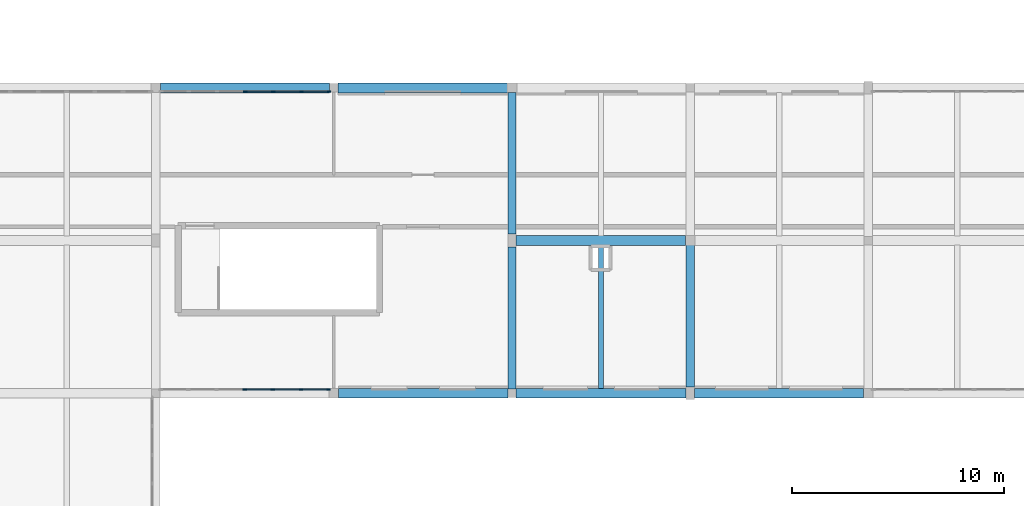
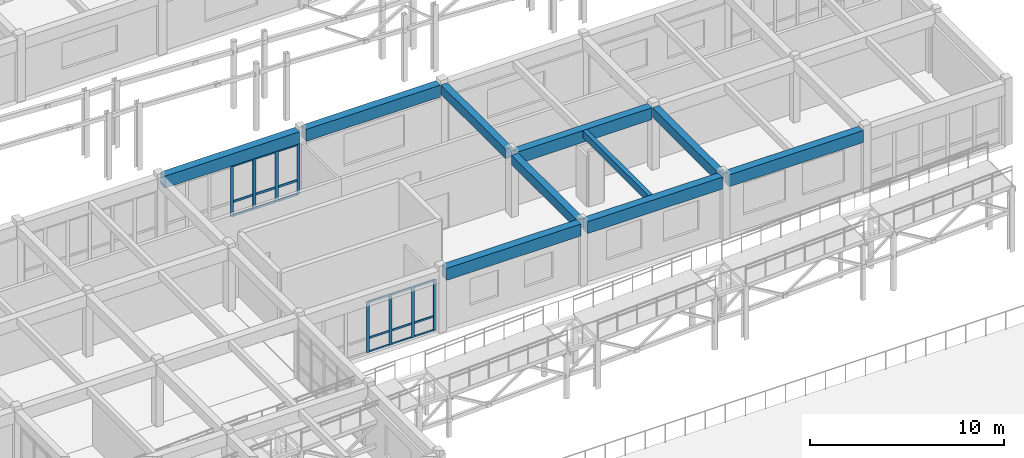
# One storey, part 37 of 90: 26 members, 10 beams, 2 elements without a shape of their own.
"""IFC4 building model written with IfcOpenShell, lengths in metres."""

from ifc_helpers import new_model, si_unit, direction, frame, origin, origin_2d, place, context, subcontext, project, spatial, rectangle, extrude, material, material_profile, profile_set, type_object, element, aggregate, save


model = new_model("IFC4")

# Units and contexts
model_context = context("Model", 3, precision=1e-05, world=origin(), true_north=direction((0.0, 1.0)))
body_context = subcontext(model_context, "Body", "Model", "MODEL_VIEW")
ifc_project = project(units=[si_unit("LENGTHUNIT", "METRE"), si_unit("AREAUNIT", "SQUARE_METRE"), si_unit("VOLUMEUNIT", "CUBIC_METRE"), si_unit("PLANEANGLEUNIT", "RADIAN"), si_unit("MASSUNIT", "GRAM", prefix="KILO")], contexts=[model_context])

# Site, building, storey
site_placement = place(None, origin())
site = spatial("IfcSite", under=ifc_project, at=site_placement, CompositionType="ELEMENT")
building_placement = place(site_placement, origin())
building = spatial("IfcBuilding", under=site, at=building_placement, Name="Malvenik Polytechnic", CompositionType="ELEMENT")
storey_placement = place(building_placement, frame((0.0, 0.0, 9.300048828125)))
storey = spatial("IfcBuildingStorey", under=building, at=storey_placement, Name="L02", CompositionType="ELEMENT", Elevation=9.300048828125)

# Curtain wall, members
ifc_material_1 = material(Name="Anodised aluminium 6060-T6", Category="aluminium")
curtain_wall_type = type_object("IfcCurtainWallType", Name="ARC-CW-CW-03", PredefinedType="NOTDEFINED", material=ifc_material_1)
curtain_wall_1_placement = place(storey_placement, origin())
curtain_wall_1 = element("IfcCurtainWall", 1, at=curtain_wall_1_placement, inside=storey, type_object=curtain_wall_type, Name="Unitised Curtain Wall CW-03 L02 #142", PredefinedType="NOTDEFINED")
ifc_material_2 = material(Name="Anodised aluminium", Category="aluminium")
ifc_material_profile_1 = material_profile(ifc_material_2, rectangle(XDim=0.06005859375, YDim=0.179931640625, at=origin_2d()), Name="ALU MULLION 60x180")
ifc_profile_set_1 = profile_set([ifc_material_profile_1], Name="Anodised aluminium")
member_type_1 = type_object("IfcMemberType", Name="ARC-CWM-180", PredefinedType="MULLION", material=ifc_profile_set_1)
member_1_placement = place(storey_placement, frame((96.612548828125, 64.6298828125, 0.0), z_axis=(0.0, 0.0, 1.0), x_axis=(0.0, 1.0, 0.0)))
member_1 = element("IfcMember", 2, at=member_1_placement, type_object=member_type_1, Name="CW-03 mullion 4", PredefinedType="MULLION", context=body_context, shape_type="SweptSolid", body=[
    extrude(rectangle(XDim=0.06005859375, YDim=0.179931640625, at=origin_2d()), origin(), (0.0, 0.0, 1.0), 3.179931640625),
])
member_2_placement = place(storey_placement, frame((97.9423828125, 64.6298828125, 0.0), z_axis=(0.0, 0.0, 1.0), x_axis=(0.0, 1.0, 0.0)))
member_2 = element("IfcMember", 3, at=member_2_placement, type_object=member_type_1, Name="CW-03 mullion 5", PredefinedType="MULLION", context=body_context, shape_type="SweptSolid", body=[
    extrude(rectangle(XDim=0.06005859375, YDim=0.179931640625, at=origin_2d()), origin(), (0.0, 0.0, 1.0), 3.179931640625),
])
member_3_placement = place(storey_placement, frame((99.272216796875, 64.6298828125, 0.0), z_axis=(0.0, 0.0, 1.0), x_axis=(0.0, 1.0, 0.0)))
member_3 = element("IfcMember", 4, at=member_3_placement, type_object=member_type_1, Name="CW-03 mullion 6", PredefinedType="MULLION", context=body_context, shape_type="SweptSolid", body=[
    extrude(rectangle(XDim=0.06005859375, YDim=0.179931640625, at=origin_2d()), origin(), (0.0, 0.0, 1.0), 3.179931640625),
])
member_4_placement = place(storey_placement, frame((100.572021484375, 64.6298828125, 0.0), z_axis=(0.0, 0.0, 1.0), x_axis=(0.0, 1.0, 0.0)))
member_4 = element("IfcMember", 5, at=member_4_placement, type_object=member_type_1, Name="CW-03 mullion 7", PredefinedType="MULLION", context=body_context, shape_type="SweptSolid", body=[
    extrude(rectangle(XDim=0.06005859375, YDim=0.179931640625, at=origin_2d()), origin(), (0.0, 0.0, 1.0), 3.179931640625),
])

curtain_wall_2_placement = place(storey_placement, origin())
curtain_wall_2 = element("IfcCurtainWall", 6, at=curtain_wall_2_placement, inside=storey, type_object=curtain_wall_type, Name="Unitised Curtain Wall CW-03 L02 #145", PredefinedType="NOTDEFINED")
member_5_placement = place(storey_placement, frame((100.547119140625, 50.570068359375, 0.0), z_axis=(0.0, 0.0, 1.0), x_axis=(0.0, -1.0, 0.0)))
member_5 = element("IfcMember", 7, at=member_5_placement, type_object=member_type_1, Name="CW-03 mullion 1", PredefinedType="MULLION", context=body_context, shape_type="SweptSolid", body=[
    extrude(rectangle(XDim=0.06005859375, YDim=0.179931640625, at=origin_2d()), origin(), (0.0, 0.0, 1.0), 3.179931640625),
])
member_6_placement = place(storey_placement, frame((99.2470703125, 50.570068359375, 0.0), z_axis=(0.0, 0.0, 1.0), x_axis=(0.0, -1.0, 0.0)))
member_6 = element("IfcMember", 8, at=member_6_placement, type_object=member_type_1, Name="CW-03 mullion 2", PredefinedType="MULLION", context=body_context, shape_type="SweptSolid", body=[
    extrude(rectangle(XDim=0.06005859375, YDim=0.179931640625, at=origin_2d()), origin(), (0.0, 0.0, 1.0), 3.179931640625),
])
member_7_placement = place(storey_placement, frame((97.917236328125, 50.570068359375, 0.0), z_axis=(0.0, 0.0, 1.0), x_axis=(0.0, -1.0, 0.0)))
member_7 = element("IfcMember", 9, at=member_7_placement, type_object=member_type_1, Name="CW-03 mullion 3", PredefinedType="MULLION", context=body_context, shape_type="SweptSolid", body=[
    extrude(rectangle(XDim=0.06005859375, YDim=0.179931640625, at=origin_2d()), origin(), (0.0, 0.0, 1.0), 3.179931640625),
])
member_8_placement = place(storey_placement, frame((96.58740234375, 50.570068359375, 0.0), z_axis=(0.0, 0.0, 1.0), x_axis=(0.0, -1.0, 0.0)))
member_8 = element("IfcMember", 10, at=member_8_placement, type_object=member_type_1, Name="CW-03 mullion 4", PredefinedType="MULLION", context=body_context, shape_type="SweptSolid", body=[
    extrude(rectangle(XDim=0.06005859375, YDim=0.179931640625, at=origin_2d()), origin(), (0.0, 0.0, 1.0), 3.179931640625),
])
ifc_material_profile_2 = material_profile(ifc_material_2, rectangle(XDim=0.06005859375, YDim=0.1201171875, at=origin_2d()), Name="ALU TRANSOM 60x120")
ifc_profile_set_2 = profile_set([ifc_material_profile_2], Name="Anodised aluminium")
member_type_2 = type_object("IfcMemberType", Name="ARC-CWT-120", PredefinedType="USERDEFINED", material=ifc_profile_set_2)
member_9_placement = place(storey_placement, frame((100.51708984375, 50.570068359375, 0.030029296875), z_axis=(-1.0, 0.0, 0.0), x_axis=(0.0, -1.0, 0.0)))
member_9 = element("IfcMember", 11, at=member_9_placement, type_object=member_type_2, Name="CW-03 transom 1.1", ObjectType="TRANSOM", PredefinedType="USERDEFINED", context=body_context, shape_type="SweptSolid", body=[
    extrude(rectangle(XDim=0.06005859375, YDim=0.1201171875, at=origin_2d()), origin(), (0.0, 0.0, 1.0), 1.239990234375),
])
member_10_placement = place(storey_placement, frame((100.51708984375, 50.570068359375, 0.89990234375), z_axis=(-1.0, 0.0, 0.0), x_axis=(0.0, -1.0, 0.0)))
member_10 = element("IfcMember", 12, at=member_10_placement, type_object=member_type_2, Name="CW-03 transom 1.2", ObjectType="TRANSOM", PredefinedType="USERDEFINED", context=body_context, shape_type="SweptSolid", body=[
    extrude(rectangle(XDim=0.06005859375, YDim=0.1201171875, at=origin_2d()), origin(), (0.0, 0.0, 1.0), 1.239990234375),
])
member_11_placement = place(storey_placement, frame((100.51708984375, 50.570068359375, 3.14990234375), z_axis=(-1.0, 0.0, 0.0), x_axis=(0.0, -1.0, 0.0)))
member_11 = element("IfcMember", 13, at=member_11_placement, type_object=member_type_2, Name="CW-03 transom 1.3", ObjectType="TRANSOM", PredefinedType="USERDEFINED", context=body_context, shape_type="SweptSolid", body=[
    extrude(rectangle(XDim=0.06005859375, YDim=0.1201171875, at=origin_2d()), origin(), (0.0, 0.0, 1.0), 1.239990234375),
])
member_12_placement = place(storey_placement, frame((99.21728515625, 50.570068359375, 0.030029296875), z_axis=(-1.0, 0.0, 0.0), x_axis=(0.0, -1.0, 0.0)))
member_12 = element("IfcMember", 14, at=member_12_placement, type_object=member_type_2, Name="CW-03 transom 2.1", ObjectType="TRANSOM", PredefinedType="USERDEFINED", context=body_context, shape_type="SweptSolid", body=[
    extrude(rectangle(XDim=0.06005859375, YDim=0.1201171875, at=origin_2d()), origin(), (0.0, 0.0, 1.0), 1.27001953125),
])
member_13_placement = place(storey_placement, frame((99.21728515625, 50.570068359375, 0.89990234375), z_axis=(-1.0, 0.0, 0.0), x_axis=(0.0, -1.0, 0.0)))
member_13 = element("IfcMember", 15, at=member_13_placement, type_object=member_type_2, Name="CW-03 transom 2.2", ObjectType="TRANSOM", PredefinedType="USERDEFINED", context=body_context, shape_type="SweptSolid", body=[
    extrude(rectangle(XDim=0.06005859375, YDim=0.1201171875, at=origin_2d()), origin(), (0.0, 0.0, 1.0), 1.27001953125),
])
member_14_placement = place(storey_placement, frame((99.21728515625, 50.570068359375, 3.14990234375), z_axis=(-1.0, 0.0, 0.0), x_axis=(0.0, -1.0, 0.0)))
member_14 = element("IfcMember", 16, at=member_14_placement, type_object=member_type_2, Name="CW-03 transom 2.3", ObjectType="TRANSOM", PredefinedType="USERDEFINED", context=body_context, shape_type="SweptSolid", body=[
    extrude(rectangle(XDim=0.06005859375, YDim=0.1201171875, at=origin_2d()), origin(), (0.0, 0.0, 1.0), 1.27001953125),
])
member_15_placement = place(storey_placement, frame((97.887451171875, 50.570068359375, 0.030029296875), z_axis=(-1.0, 0.0, 0.0), x_axis=(0.0, -1.0, 0.0)))
member_15 = element("IfcMember", 17, at=member_15_placement, type_object=member_type_2, Name="CW-03 transom 3.1", ObjectType="TRANSOM", PredefinedType="USERDEFINED", context=body_context, shape_type="SweptSolid", body=[
    extrude(rectangle(XDim=0.06005859375, YDim=0.1201171875, at=origin_2d()), origin(), (0.0, 0.0, 1.0), 1.27001953125),
])
member_16_placement = place(storey_placement, frame((97.887451171875, 50.570068359375, 0.89990234375), z_axis=(-1.0, 0.0, 0.0), x_axis=(0.0, -1.0, 0.0)))
member_16 = element("IfcMember", 18, at=member_16_placement, type_object=member_type_2, Name="CW-03 transom 3.2", ObjectType="TRANSOM", PredefinedType="USERDEFINED", context=body_context, shape_type="SweptSolid", body=[
    extrude(rectangle(XDim=0.06005859375, YDim=0.1201171875, at=origin_2d()), origin(), (0.0, 0.0, 1.0), 1.27001953125),
])
member_17_placement = place(storey_placement, frame((97.887451171875, 50.570068359375, 3.14990234375), z_axis=(-1.0, 0.0, 0.0), x_axis=(0.0, -1.0, 0.0)))
member_17 = element("IfcMember", 19, at=member_17_placement, type_object=member_type_2, Name="CW-03 transom 3.3", ObjectType="TRANSOM", PredefinedType="USERDEFINED", context=body_context, shape_type="SweptSolid", body=[
    extrude(rectangle(XDim=0.06005859375, YDim=0.1201171875, at=origin_2d()), origin(), (0.0, 0.0, 1.0), 1.27001953125),
])
aggregate(curtain_wall_2, [member_5, member_6, member_7, member_8, member_9, member_10, member_11, member_12, member_13, member_14, member_15, member_16, member_17])

# Member
ifc_material_profile_3 = material_profile(ifc_material_2, rectangle(XDim=0.06005859375, YDim=0.139892578125, at=origin_2d()), Name="ALU TRANSOM 60x140")
ifc_profile_set_3 = profile_set([ifc_material_profile_3], Name="Anodised aluminium")
member_type_3 = type_object("IfcMemberType", Name="ARC-CWT-140", PredefinedType="USERDEFINED", material=ifc_profile_set_3)
member_18_placement = place(storey_placement, frame((96.642578125, 64.6298828125, 0.030029296875), z_axis=(1.0, 0.0, 0.0), x_axis=(0.0, 1.0, 0.0)))
member_18 = element("IfcMember", 20, at=member_18_placement, type_object=member_type_3, Name="CW-03 transom 4.1", ObjectType="TRANSOM", PredefinedType="USERDEFINED", context=body_context, shape_type="SweptSolid", body=[
    extrude(rectangle(XDim=0.06005859375, YDim=0.139892578125, at=origin_2d()), origin(), (0.0, 0.0, 1.0), 1.269775390625),
])

member_19_placement = place(storey_placement, frame((96.642578125, 64.6298828125, 0.89990234375), z_axis=(1.0, 0.0, 0.0), x_axis=(0.0, 1.0, 0.0)))
member_19 = element("IfcMember", 21, at=member_19_placement, type_object=member_type_3, Name="CW-03 transom 4.2", ObjectType="TRANSOM", PredefinedType="USERDEFINED", context=body_context, shape_type="SweptSolid", body=[
    extrude(rectangle(XDim=0.06005859375, YDim=0.139892578125, at=origin_2d()), origin(), (0.0, 0.0, 1.0), 1.269775390625),
])

member_20_placement = place(storey_placement, frame((96.642578125, 64.6298828125, 3.14990234375), z_axis=(1.0, 0.0, 0.0), x_axis=(0.0, 1.0, 0.0)))
member_20 = element("IfcMember", 22, at=member_20_placement, type_object=member_type_3, Name="CW-03 transom 4.3", ObjectType="TRANSOM", PredefinedType="USERDEFINED", context=body_context, shape_type="SweptSolid", body=[
    extrude(rectangle(XDim=0.06005859375, YDim=0.139892578125, at=origin_2d()), origin(), (0.0, 0.0, 1.0), 1.269775390625),
])

member_21_placement = place(storey_placement, frame((97.972412109375, 64.6298828125, 0.030029296875), z_axis=(1.0, 0.0, 0.0), x_axis=(0.0, 1.0, 0.0)))
member_21 = element("IfcMember", 23, at=member_21_placement, type_object=member_type_3, Name="CW-03 transom 5.1", ObjectType="TRANSOM", PredefinedType="USERDEFINED", context=body_context, shape_type="SweptSolid", body=[
    extrude(rectangle(XDim=0.06005859375, YDim=0.139892578125, at=origin_2d()), origin(), (0.0, 0.0, 1.0), 1.269775390625),
])

member_22_placement = place(storey_placement, frame((97.972412109375, 64.6298828125, 0.89990234375), z_axis=(1.0, 0.0, 0.0), x_axis=(0.0, 1.0, 0.0)))
member_22 = element("IfcMember", 24, at=member_22_placement, type_object=member_type_3, Name="CW-03 transom 5.2", ObjectType="TRANSOM", PredefinedType="USERDEFINED", context=body_context, shape_type="SweptSolid", body=[
    extrude(rectangle(XDim=0.06005859375, YDim=0.139892578125, at=origin_2d()), origin(), (0.0, 0.0, 1.0), 1.269775390625),
])

member_23_placement = place(storey_placement, frame((97.972412109375, 64.6298828125, 3.14990234375), z_axis=(1.0, 0.0, 0.0), x_axis=(0.0, 1.0, 0.0)))
member_23 = element("IfcMember", 25, at=member_23_placement, type_object=member_type_3, Name="CW-03 transom 5.3", ObjectType="TRANSOM", PredefinedType="USERDEFINED", context=body_context, shape_type="SweptSolid", body=[
    extrude(rectangle(XDim=0.06005859375, YDim=0.139892578125, at=origin_2d()), origin(), (0.0, 0.0, 1.0), 1.269775390625),
])

member_24_placement = place(storey_placement, frame((99.30224609375, 64.6298828125, 0.030029296875), z_axis=(1.0, 0.0, 0.0), x_axis=(0.0, 1.0, 0.0)))
member_24 = element("IfcMember", 26, at=member_24_placement, type_object=member_type_3, Name="CW-03 transom 6.1", ObjectType="TRANSOM", PredefinedType="USERDEFINED", context=body_context, shape_type="SweptSolid", body=[
    extrude(rectangle(XDim=0.06005859375, YDim=0.139892578125, at=origin_2d()), origin(), (0.0, 0.0, 1.0), 1.23974609375),
])

member_25_placement = place(storey_placement, frame((99.30224609375, 64.6298828125, 0.89990234375), z_axis=(1.0, 0.0, 0.0), x_axis=(0.0, 1.0, 0.0)))
member_25 = element("IfcMember", 27, at=member_25_placement, type_object=member_type_3, Name="CW-03 transom 6.2", ObjectType="TRANSOM", PredefinedType="USERDEFINED", context=body_context, shape_type="SweptSolid", body=[
    extrude(rectangle(XDim=0.06005859375, YDim=0.139892578125, at=origin_2d()), origin(), (0.0, 0.0, 1.0), 1.23974609375),
])

member_26_placement = place(storey_placement, frame((99.30224609375, 64.6298828125, 3.14990234375), z_axis=(1.0, 0.0, 0.0), x_axis=(0.0, 1.0, 0.0)))
member_26 = element("IfcMember", 28, at=member_26_placement, type_object=member_type_3, Name="CW-03 transom 6.3", ObjectType="TRANSOM", PredefinedType="USERDEFINED", context=body_context, shape_type="SweptSolid", body=[
    extrude(rectangle(XDim=0.06005859375, YDim=0.139892578125, at=origin_2d()), origin(), (0.0, 0.0, 1.0), 1.23974609375),
])

aggregate(curtain_wall_1, [member_1, member_2, member_3, member_4, member_18, member_19, member_20, member_21, member_22, member_23, member_24, member_25, member_26])

# Beams
ifc_material_3 = material(Name="Concrete C35/45", Category="concrete")
ifc_material_profile_4 = material_profile(ifc_material_3, rectangle(XDim=0.449951171875, YDim=0.75, at=origin_2d()), Name="RC BM 450x750")
ifc_profile_set_4 = profile_set([ifc_material_profile_4], Name="Concrete C35/45")
beam_type_1 = type_object("IfcBeamType", Name="STR-BM-B-03", PredefinedType="BEAM", material=ifc_profile_set_4)
beam_1_placement = place(storey_placement, frame((109.39794921875, 57.60009765625, 3.56494140625), z_axis=(1.0, 0.0, 0.0), x_axis=(0.0, 1.0, 0.0)))
element("IfcBeam", 29, at=beam_1_placement, inside=storey, type_object=beam_type_1, Name="Primary Beam B-03 L02 #1358", PredefinedType="BEAM", context=body_context, shape_type="SweptSolid", body=[
    extrude(rectangle(XDim=0.449951171875, YDim=0.75, at=origin_2d()), origin(), (0.0, 0.0, 1.0), 7.97900390625),
])
ifc_material_profile_5 = material_profile(ifc_material_3, rectangle(XDim=0.39990234375, YDim=0.60009765625, at=origin_2d()), Name="RC BM 400x600")
ifc_profile_set_5 = profile_set([ifc_material_profile_5], Name="Concrete C35/45")
beam_type_2 = type_object("IfcBeamType", Name="STR-BM-B-06", PredefinedType="BEAM", material=ifc_profile_set_5)
beam_2_placement = place(storey_placement, frame((109.199951171875, 50.597900390625, 3.639892578125), z_axis=(0.0, 1.0, 0.0), x_axis=(-1.0, 0.0, 0.0)))
element("IfcBeam", 30, at=beam_2_placement, inside=storey, type_object=beam_type_2, Name="Transverse Beam B-06 L02 #1537", PredefinedType="BEAM", context=body_context, shape_type="SweptSolid", body=[
    extrude(rectangle(XDim=0.39990234375, YDim=0.60009765625, at=origin_2d()), origin(), (0.0, 0.0, 1.0), 6.7041015625),
])
for number, where, z_axis, x_axis, name in (
    (31, (109.199951171875, 57.89794921875, 3.639892578125), (0.0, 1.0, 0.0), (-1.0, 0.0, 0.0), "Transverse Beam B-06 L02 #1538"),
    (32, (117.60009765625, 50.697998046875, 3.639892578125), (0.0, 1.0, 0.0), (-1.0, 0.0, 0.0), "Transverse Beam B-06 L02 #1543"),
):
    element("IfcBeam", number, at=place(storey_placement, frame(where, z_axis=z_axis, x_axis=x_axis)), inside=storey, type_object=beam_type_2, Name=name, PredefinedType="BEAM", context=body_context, shape_type="SweptSolid", body=[
        extrude(rectangle(XDim=0.39990234375, YDim=0.60009765625, at=origin_2d()), origin(), (0.0, 0.0, 1.0), 6.678955078125),
    ])
ifc_material_4 = material(Name="Concrete C30/37", Category="concrete")
ifc_material_profile_6 = material_profile(ifc_material_4, rectangle(XDim=0.25, YDim=0.449951171875, at=origin_2d()), Name="RC JST 250x450")
ifc_profile_set_6 = profile_set([ifc_material_profile_6], Name="Concrete C30/37")
beam_type_3 = type_object("IfcBeamType", Name="STR-BM-J-02", PredefinedType="JOIST", material=ifc_profile_set_6)
beam_3_placement = place(storey_placement, frame((113.39990234375, 50.6279296875, 3.71484375), z_axis=(0.0, 1.0, 0.0), x_axis=(-1.0, 0.0, 0.0)))
element("IfcBeam", 33, at=beam_3_placement, inside=storey, type_object=beam_type_3, Name="Secondary Rib Joist J-02 L02 #1607", PredefinedType="JOIST", context=body_context, shape_type="SweptSolid", body=[
    extrude(rectangle(XDim=0.25, YDim=0.449951171875, at=origin_2d()), origin(), (0.0, 0.0, 1.0), 6.7490234375),
])
ifc_material_5 = material(Name="Precast concrete C40/50", Category="concrete")
ifc_material_profile_7 = material_profile(ifc_material_5, rectangle(XDim=0.4599609375, YDim=0.75, at=origin_2d()), Name="PC SPN 460x750")
ifc_profile_set_7 = profile_set([ifc_material_profile_7], Name="Precast concrete C40/50")
beam_type_4 = type_object("IfcBeamType", Name="STR-BM-SP-02", PredefinedType="SPANDREL", material=ifc_profile_set_7)
beam_4_placement = place(storey_placement, frame((101.02294921875, 50.39990234375, 3.56494140625), z_axis=(1.0, 0.0, 0.0), x_axis=(0.0, 1.0, 0.0)))
element("IfcBeam", 34, at=beam_4_placement, inside=storey, type_object=beam_type_4, Name="Primary Beam SP-02 L02 #1346", PredefinedType="SPANDREL", context=body_context, shape_type="SweptSolid", body=[
    extrude(rectangle(XDim=0.4599609375, YDim=0.75, at=origin_2d()), origin(), (0.0, 0.0, 1.0), 7.97900390625),
])
beam_5_placement = place(storey_placement, frame((109.39794921875, 50.39990234375, 3.56494140625), z_axis=(1.0, 0.0, 0.0), x_axis=(0.0, 1.0, 0.0)))
element("IfcBeam", 35, at=beam_5_placement, inside=storey, type_object=beam_type_4, Name="Primary Beam SP-02 L02 #1347", PredefinedType="SPANDREL", context=body_context, shape_type="SweptSolid", body=[
    extrude(rectangle(XDim=0.4599609375, YDim=0.75, at=origin_2d()), origin(), (0.0, 0.0, 1.0), 8.004150390625),
])
for number, where, z_axis, x_axis, name in (
    (36, (117.798095703125, 50.39990234375, 3.56494140625), (1.0, 0.0, 0.0), (0.0, 1.0, 0.0), "Primary Beam SP-02 L02 #1348"),
    (37, (92.623046875, 64.800048828125, 3.56494140625), (1.0, 0.0, 0.0), (0.0, 1.0, 0.0), "Primary Beam SP-02 L02 #1371"),
    (38, (100.998046875, 64.800048828125, 3.56494140625), (1.0, 0.0, 0.0), (0.0, 1.0, 0.0), "Primary Beam SP-02 L02 #1372"),
):
    element("IfcBeam", number, at=place(storey_placement, frame(where, z_axis=z_axis, x_axis=x_axis)), inside=storey, type_object=beam_type_4, Name=name, PredefinedType="SPANDREL", context=body_context, shape_type="SweptSolid", body=[
        extrude(rectangle(XDim=0.4599609375, YDim=0.75, at=origin_2d()), origin(), (0.0, 0.0, 1.0), 7.97900390625),
    ])

save(model, "model.ifc")
